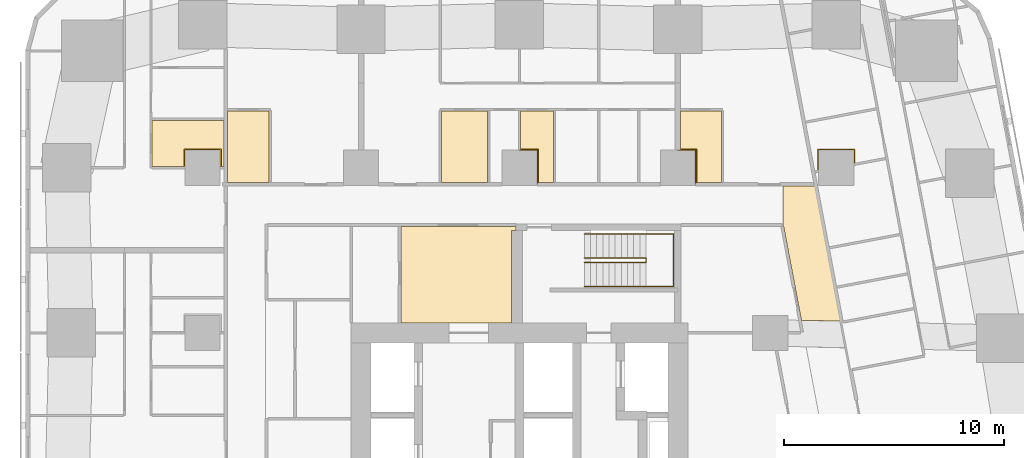
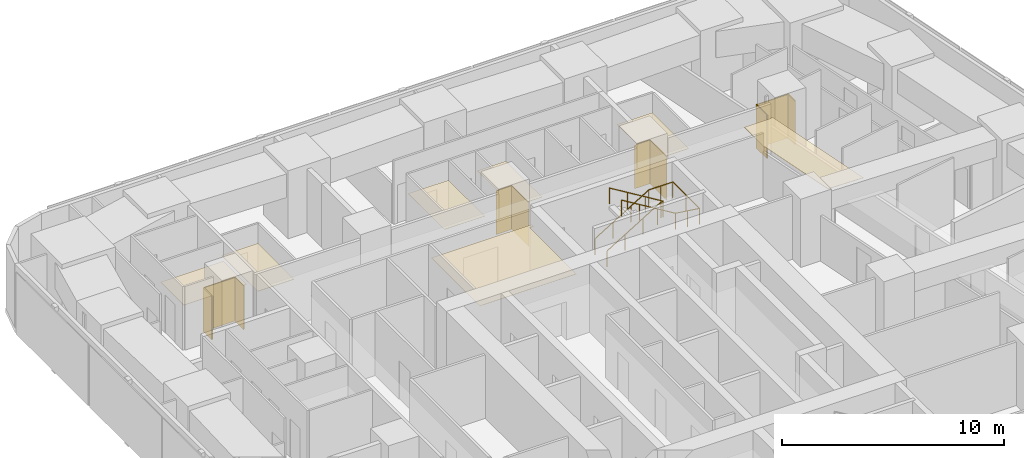
# One storey, part 15 of 15: 11 coverings, 2 railings.
"""IFC4 building model written with IfcOpenShell, lengths in metres."""

from ifc_helpers import new_model, si_unit, direction, frame, origin, origin_2d, place, context, subcontext, project, spatial, polyline, circle, outline, extrude, material, layer, layer_set, type_object, element, save


model = new_model("IFC4")

# Units and contexts
model_context = context("Model", 3, precision=1e-05, world=origin(), true_north=direction((0.0, 1.0)))
body_context = subcontext(model_context, "Body", "Model", "MODEL_VIEW")
ifc_project = project(units=[si_unit("LENGTHUNIT", "METRE"), si_unit("AREAUNIT", "SQUARE_METRE"), si_unit("VOLUMEUNIT", "CUBIC_METRE"), si_unit("PLANEANGLEUNIT", "RADIAN"), si_unit("MASSUNIT", "GRAM", prefix="KILO")], contexts=[model_context])

# Site, building, storey
site_placement = place(None, origin())
site = spatial("IfcSite", under=ifc_project, at=site_placement, CompositionType="ELEMENT")
building_placement = place(site_placement, origin())
building = spatial("IfcBuilding", under=site, at=building_placement, Name="Sheger Commons Tower", CompositionType="ELEMENT")
storey_placement = place(building_placement, frame((0.0, 0.0, 81.64990234375)))
storey = spatial("IfcBuildingStorey", under=building, at=storey_placement, Name="L20", CompositionType="ELEMENT", Elevation=81.64990234375)

# Railings
ifc_material_1 = material(Name="Steel handrail, black powder-coated", Category="steel")
railing_type = type_object("IfcRailingType", Name="HANDRAIL 900", PredefinedType="HANDRAIL", material=ifc_material_1)
railing_1_placement = place(storey_placement, frame((24.550048828125, 33.39990234375, 0.170654296875)))
element("IfcRailing", 1, at=railing_1_placement, inside=storey, type_object=railing_type, Name="Stair S2 handrail L20", PredefinedType="HANDRAIL", context=body_context, shape_type="SweptSolid", body=[
    extrude(circle(Radius=0.02392578125, at=origin_2d()), frame((0.0, 0.0, 0.8759765625), z_axis=(0.854202870247, 0.0, 0.519939858505), x_axis=(0.0, 1.0, 0.0)), (0.0, 0.0, 1.0), 3.278076171875),
    extrude(circle(Radius=0.02392578125, at=origin_2d()), frame((2.800048828125, 0.0, 2.580078125), z_axis=(0.0, -0.760631612298, 0.649183757016), x_axis=(1.0, 0.0, 0.0)), (0.0, 0.0, 1.0), 0.262939453125),
    extrude(circle(Radius=0.02392578125, at=origin_2d()), frame((2.800048828125, -0.199951171875, 2.7509765625), z_axis=(-0.854202870247, 0.0, 0.519939858505), x_axis=(0.0, -1.0, 0.0)), (0.0, 0.0, 1.0), 3.278076171875),
    extrude(circle(Radius=0.02099609375, at=origin_2d()), origin(), (0.0, 0.0, 1.0), 0.851806640625),
    extrude(circle(Radius=0.02099609375, at=origin_2d()), frame((0.933349609375, 0.0, 0.568115234375)), (0.0, 0.0, 1.0), 0.851806640625),
    extrude(circle(Radius=0.02099609375, at=origin_2d()), frame((1.86669921875, 0.0, 1.13623046875)), (0.0, 0.0, 1.0), 0.851806640625),
    extrude(circle(Radius=0.02099609375, at=origin_2d()), frame((2.800048828125, 0.0, 1.704345703125)), (0.0, 0.0, 1.0), 0.851806640625),
    extrude(circle(Radius=0.02099609375, at=origin_2d()), frame((2.800048828125, -0.199951171875, 1.875)), (0.0, 0.0, 1.0), 0.851806640625),
    extrude(circle(Radius=0.02099609375, at=origin_2d()), frame((1.86669921875, -0.199951171875, 2.443115234375)), (0.0, 0.0, 1.0), 0.851806640625),
    extrude(circle(Radius=0.02099609375, at=origin_2d()), frame((0.933349609375, -0.199951171875, 3.01123046875)), (0.0, 0.0, 1.0), 0.851806640625),
    extrude(circle(Radius=0.02099609375, at=origin_2d()), frame((0.0, -0.199951171875, 3.579345703125)), (0.0, 0.0, 1.0), 0.851806640625),
])
railing_2_placement = place(storey_placement, frame((24.550048828125, 34.5, 0.170654296875)))
element("IfcRailing", 2, at=railing_2_placement, inside=storey, type_object=railing_type, Name="Stair S2 handrail L20", PredefinedType="HANDRAIL", context=body_context, shape_type="SweptSolid", body=[
    extrude(circle(Radius=0.02392578125, at=origin_2d()), frame((0.0, 0.0, 0.8759765625), z_axis=(0.854202870247, 0.0, 0.519939858505), x_axis=(0.0, 1.0, 0.0)), (0.0, 0.0, 1.0), 3.278076171875),
    extrude(circle(Radius=0.02392578125, at=origin_2d()), frame((2.800048828125, 0.0, 2.580078125), z_axis=(1.0, 0.0, 0.0), x_axis=(0.0, 1.0, 0.0)), (0.0, 0.0, 1.0), 1.25),
    extrude(circle(Radius=0.02392578125, at=origin_2d()), frame((4.050048828125, 0.0, 2.580078125), z_axis=(0.0, -1.0, 0.0), x_axis=(1.0, 0.0, 0.0)), (0.0, 0.0, 1.0), 2.39990234375),
    extrude(circle(Radius=0.02392578125, at=origin_2d()), frame((4.050048828125, -2.39990234375, 2.580078125), z_axis=(-0.990808959222, 0.0, 0.135268645019), x_axis=(0.0, -1.0, 0.0)), (0.0, 0.0, 1.0), 1.261474609375),
    extrude(circle(Radius=0.02392578125, at=origin_2d()), frame((2.800048828125, -2.39990234375, 2.7509765625), z_axis=(-0.854202870247, 0.0, 0.519939858505), x_axis=(0.0, -1.0, 0.0)), (0.0, 0.0, 1.0), 3.278076171875),
    extrude(circle(Radius=0.02099609375, at=origin_2d()), origin(), (0.0, 0.0, 1.0), 0.851806640625),
    extrude(circle(Radius=0.02099609375, at=origin_2d()), frame((0.933349609375, 0.0, 0.568115234375)), (0.0, 0.0, 1.0), 0.851806640625),
    extrude(circle(Radius=0.02099609375, at=origin_2d()), frame((1.86669921875, 0.0, 1.13623046875)), (0.0, 0.0, 1.0), 0.851806640625),
    extrude(circle(Radius=0.02099609375, at=origin_2d()), frame((2.800048828125, 0.0, 1.704345703125)), (0.0, 0.0, 1.0), 0.851806640625),
    extrude(circle(Radius=0.02099609375, at=origin_2d()), frame((3.425048828125, 0.0, 1.704345703125)), (0.0, 0.0, 1.0), 0.851806640625),
    extrude(circle(Radius=0.02099609375, at=origin_2d()), frame((4.050048828125, 0.0, 1.704345703125)), (0.0, 0.0, 1.0), 0.851806640625),
    extrude(circle(Radius=0.02099609375, at=origin_2d()), frame((4.050048828125, -1.199951171875, 1.704345703125)), (0.0, 0.0, 1.0), 0.851806640625),
    extrude(circle(Radius=0.02099609375, at=origin_2d()), frame((4.050048828125, -2.39990234375, 1.704345703125)), (0.0, 0.0, 1.0), 0.851806640625),
    extrude(circle(Radius=0.02099609375, at=origin_2d()), frame((3.425048828125, -2.39990234375, 1.78955078125)), (0.0, 0.0, 1.0), 0.851806640625),
    extrude(circle(Radius=0.02099609375, at=origin_2d()), frame((2.800048828125, -2.39990234375, 1.875)), (0.0, 0.0, 1.0), 0.851806640625),
    extrude(circle(Radius=0.02099609375, at=origin_2d()), frame((1.86669921875, -2.39990234375, 2.443115234375)), (0.0, 0.0, 1.0), 0.851806640625),
    extrude(circle(Radius=0.02099609375, at=origin_2d()), frame((0.933349609375, -2.39990234375, 3.01123046875)), (0.0, 0.0, 1.0), 0.851806640625),
    extrude(circle(Radius=0.02099609375, at=origin_2d()), frame((0.0, -2.39990234375, 3.579345703125)), (0.0, 0.0, 1.0), 0.851806640625),
])

# Coverings
ifc_material_2 = material(Name="Moisture-resistant gypsum plasterboard 15 mm on a suspended galvanised steel grid", Category="steel")
ifc_layer_1 = layer(ifc_material_2, 0.014892578125)
ifc_layer_set_1 = layer_set([ifc_layer_1], Name="MOISTURE-RESISTANT CEILING 15")
covering_type_1 = type_object("IfcCoveringType", Name="MOISTURE-RESISTANT CEILING 15", PredefinedType="CEILING", material=ifc_layer_set_1)
covering_1_placement = place(storey_placement, frame((0.0, 0.0, 2.400146484375)))
element("IfcCovering", 3, at=covering_1_placement, inside=storey, type_object=covering_type_1, Name="L20-03.B1 ceiling", PredefinedType="CEILING", context=body_context, shape_type="SweptSolid", body=[
    extrude(outline(polyline([(4.905029296875, 37.554931640625), (6.39501953125, 37.554931640625), (6.39501953125, 38.304931640625), (8.0048828125, 38.304931640625), (8.0048828125, 37.554931640625), (8.169921875, 37.554931640625), (8.169921875, 39.655029296875), (4.905029296875, 39.655029296875), (4.905029296875, 37.554931640625)])), origin(), (0.0, 0.0, 1.0), 0.014892578125),
])
covering_2_placement = place(storey_placement, frame((0.0, 0.0, 2.400146484375)))
element("IfcCovering", 4, at=covering_2_placement, inside=storey, type_object=covering_type_1, Name="L20-10.B1 ceiling", PredefinedType="CEILING", context=body_context, shape_type="SweptSolid", body=[
    extrude(outline(polyline([(8.330078125, 36.830078125), (10.22412109375, 36.830078125), (10.22412109375, 40.094970703125), (8.330078125, 40.094970703125), (8.330078125, 36.830078125)])), origin(), (0.0, 0.0, 1.0), 0.014892578125),
])
covering_3_placement = place(storey_placement, frame((0.0, 0.0, 2.400146484375)))
element("IfcCovering", 5, at=covering_3_placement, inside=storey, type_object=covering_type_1, Name="L20-11.B1 ceiling", PredefinedType="CEILING", context=body_context, shape_type="SweptSolid", body=[
    extrude(outline(polyline([(18.054931640625, 36.830078125), (20.155029296875, 36.830078125), (20.155029296875, 40.094970703125), (18.054931640625, 40.094970703125), (18.054931640625, 36.830078125)])), origin(), (0.0, 0.0, 1.0), 0.014892578125),
])
covering_4_placement = place(storey_placement, frame((0.0, 0.0, 2.400146484375)))
element("IfcCovering", 6, at=covering_4_placement, inside=storey, type_object=covering_type_1, Name="L20-11.B2 ceiling", PredefinedType="CEILING", context=body_context, shape_type="SweptSolid", body=[
    extrude(outline(polyline([(22.405029296875, 36.830078125), (23.14501953125, 36.830078125), (23.14501953125, 40.094970703125), (21.655029296875, 40.094970703125), (21.655029296875, 38.304931640625), (22.405029296875, 38.304931640625), (22.405029296875, 36.830078125)])), origin(), (0.0, 0.0, 1.0), 0.014892578125),
])
covering_5_placement = place(storey_placement, frame((0.0, 0.0, 2.400146484375)))
element("IfcCovering", 7, at=covering_5_placement, inside=storey, type_object=covering_type_1, Name="L20-12.B1 ceiling", PredefinedType="CEILING", context=body_context, shape_type="SweptSolid", body=[
    extrude(outline(polyline([(29.60498046875, 36.830078125), (30.77392578125, 36.830078125), (30.77392578125, 40.094970703125), (28.929931640625, 40.094970703125), (28.929931640625, 38.304931640625), (29.60498046875, 38.304931640625), (29.60498046875, 36.830078125)])), origin(), (0.0, 0.0, 1.0), 0.014892578125),
])
ifc_material_3 = material(Name="Gypsum plasterboard 15 mm on a suspended steel grid", Category="steel")
ifc_layer_2 = layer(ifc_material_3, 0.014892578125)
ifc_layer_set_2 = layer_set([ifc_layer_2], Name="SUSPENDED CEILING 15")
covering_type_2 = type_object("IfcCoveringType", Name="SUSPENDED CEILING 15", PredefinedType="CEILING", material=ifc_layer_set_2)
covering_6_placement = place(storey_placement, frame((0.0, 0.0, 2.7001953125)))
element("IfcCovering", 8, at=covering_6_placement, inside=storey, type_object=covering_type_2, Name="L20-CO ceiling", PredefinedType="CEILING", context=body_context, shape_type="SweptSolid", body=[
    extrude(outline(polyline([(36.237060546875, 30.531982421875), (35.06201171875, 36.75), (34.97802734375, 36.75), (34.97802734375, 36.669921875), (33.572998046875, 36.669921875), (33.572998046875, 34.947998046875), (33.571044921875, 34.947998046875), (33.589111328125, 34.85205078125), (33.60595703125, 34.85498046875), (34.416015625, 30.572998046875), (36.237060546875, 30.531982421875)])), origin(), (0.0, 0.0, 1.0), 0.014892578125),
])
covering_7_placement = place(storey_placement, frame((0.0, 0.0, 2.7001953125)))
element("IfcCovering", 9, at=covering_7_placement, inside=storey, type_object=covering_type_2, Name="L20-SVN1 ceiling", PredefinedType="CEILING", context=body_context, shape_type="SweptSolid", body=[
    extrude(outline(polyline([(16.217041015625, 30.455078125), (21.2451171875, 30.455078125), (21.2451171875, 34.655029296875), (21.445068359375, 34.655029296875), (21.445068359375, 34.83203125), (16.217041015625, 34.83203125), (16.217041015625, 30.455078125)])), origin(), (0.0, 0.0, 1.0), 0.014892578125),
])
ifc_material_4 = material(Name="Moisture-resistant gypsum board 12.5 mm on 25 mm treated timber battens, tanked and tiled", Category="wood")
ifc_layer_3 = layer(ifc_material_4, 0.050048828125)
ifc_layer_set_3 = layer_set([ifc_layer_3], Name="WET-ROOM COLUMN LINING")
covering_type_3 = type_object("IfcCoveringType", Name="WET-ROOM COLUMN LINING", PredefinedType="CLADDING", material=ifc_layer_set_3)
covering_8_placement = place(storey_placement, origin())
element("IfcCovering", 10, at=covering_8_placement, inside=storey, type_object=covering_type_3, Name="Bathroom column lining C9 L20", PredefinedType="CLADDING", context=body_context, shape_type="SweptSolid", body=[
    extrude(outline(polyline([(8.050048828125, 38.35009765625), (8.050048828125, 37.550048828125), (8.0009765625, 37.550048828125), (8.0009765625, 37.5), (8.0, 37.5), (8.0, 38.300048828125), (6.39990234375, 38.300048828125), (6.39990234375, 37.5), (6.39892578125, 37.5), (6.39892578125, 37.550048828125), (6.35009765625, 37.550048828125), (6.35009765625, 38.35009765625), (8.050048828125, 38.35009765625)])), origin(), (0.0, 0.0, 1.0), 2.400146484375),
])
covering_9_placement = place(storey_placement, origin())
element("IfcCovering", 11, at=covering_9_placement, inside=storey, type_object=covering_type_3, Name="Shower room column lining C9 L20", PredefinedType="CLADDING", context=body_context, shape_type="SweptSolid", body=[
    extrude(outline(polyline([(22.449951171875, 36.824951171875), (22.40087890625, 36.824951171875), (22.40087890625, 36.75), (22.39990234375, 36.75), (22.39990234375, 38.300048828125), (21.60009765625, 38.300048828125), (21.60009765625, 38.301025390625), (21.64990234375, 38.301025390625), (21.64990234375, 38.35009765625), (22.449951171875, 38.35009765625), (22.449951171875, 36.824951171875)])), origin(), (0.0, 0.0, 1.0), 2.400146484375),
])
covering_10_placement = place(storey_placement, origin())
element("IfcCovering", 12, at=covering_10_placement, inside=storey, type_object=covering_type_3, Name="Shower room column lining C9 L20", PredefinedType="CLADDING", context=body_context, shape_type="SweptSolid", body=[
    extrude(outline(polyline([(29.64990234375, 36.824951171875), (29.60107421875, 36.824951171875), (29.60107421875, 36.75), (29.60009765625, 36.75), (29.60009765625, 38.300048828125), (28.800048828125, 38.300048828125), (28.800048828125, 38.301025390625), (28.925048828125, 38.301025390625), (28.925048828125, 38.35009765625), (29.64990234375, 38.35009765625), (29.64990234375, 36.824951171875)])), origin(), (0.0, 0.0, 1.0), 2.400146484375),
])
covering_11_placement = place(storey_placement, origin())
element("IfcCovering", 13, at=covering_11_placement, inside=storey, type_object=covering_type_3, Name="Laundry room column lining C9 L20", PredefinedType="CLADDING", context=body_context, shape_type="SweptSolid", body=[
    extrude(outline(polyline([(36.85009765625, 38.35009765625), (36.85009765625, 37.7109375), (36.801025390625, 37.701904296875), (36.81005859375, 37.653076171875), (36.800048828125, 37.65087890625), (36.800048828125, 38.300048828125), (35.199951171875, 38.300048828125), (35.199951171875, 37.34912109375), (35.18994140625, 37.346923828125), (35.180908203125, 37.39599609375), (35.14990234375, 37.389892578125), (35.14990234375, 38.35009765625), (36.85009765625, 38.35009765625)])), origin(), (0.0, 0.0, 1.0), 2.400146484375),
])

save(model, "model.ifc")
